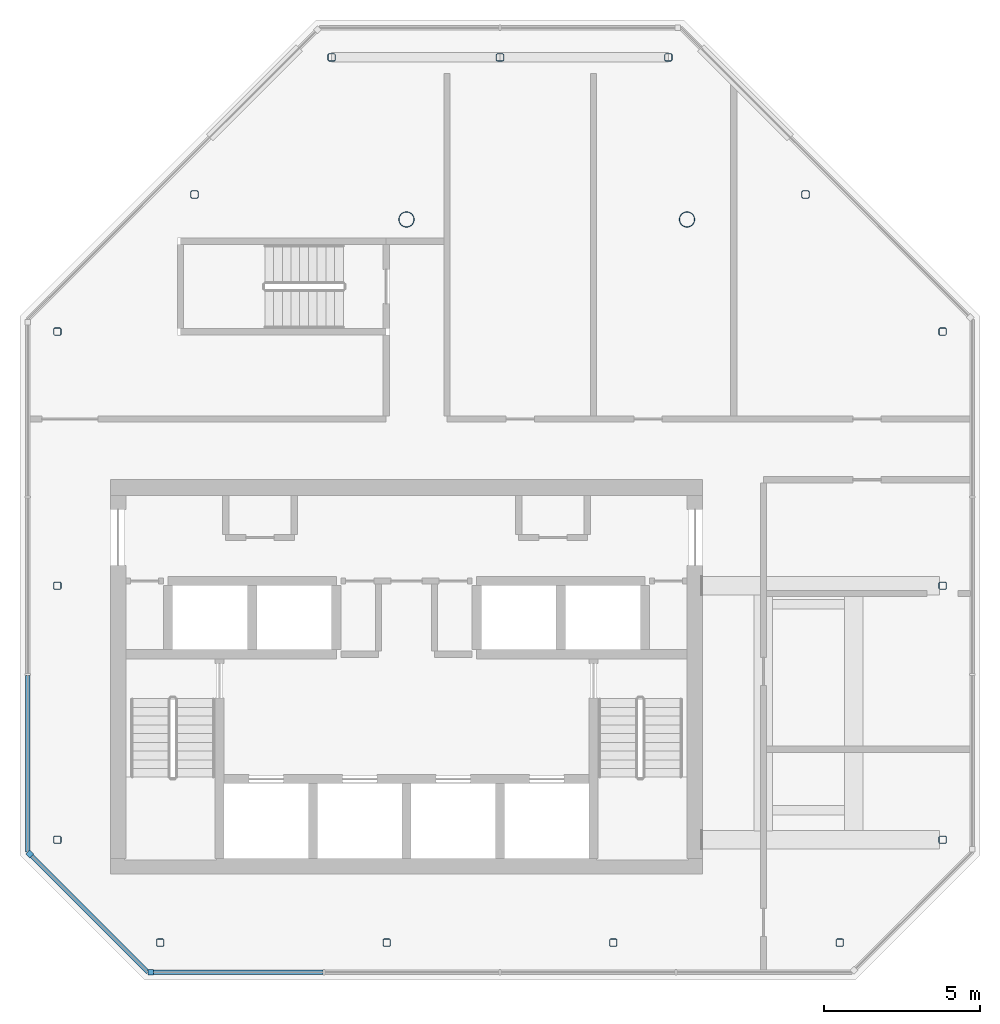
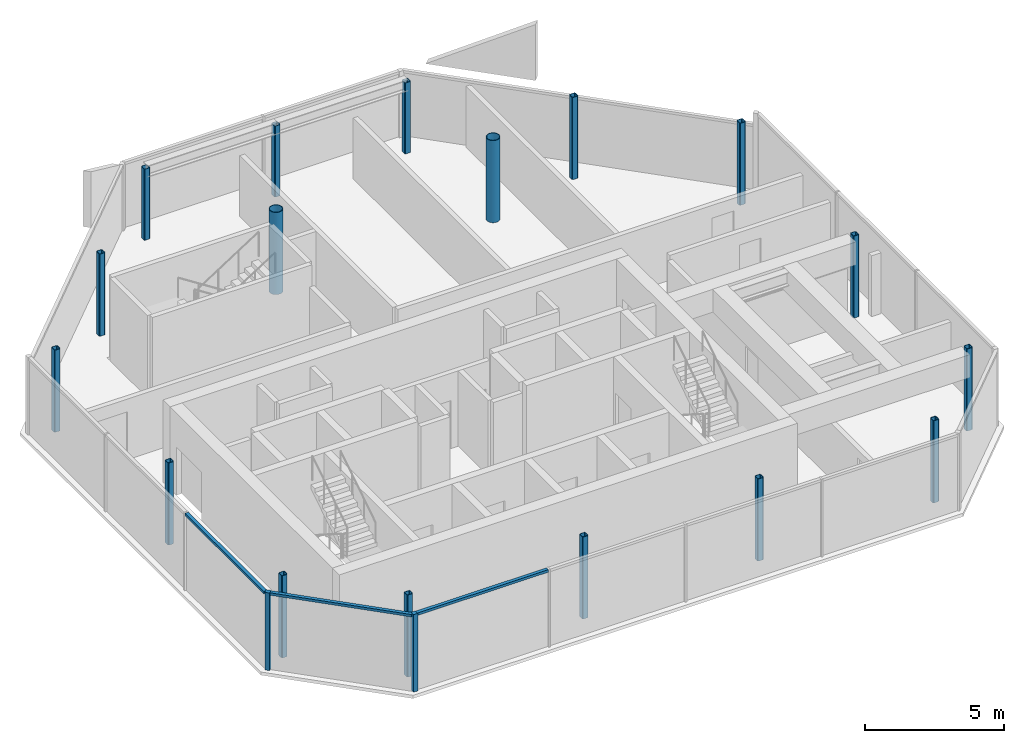
# One storey, part 1 of 7: 17 columns, 5 members, 3 elements without a shape of their own.
"""IFC4 building model written with IfcOpenShell, lengths in metres."""

from ifc_helpers import new_model, si_unit, direction, frame, origin, origin_2d, place, context, subcontext, project, spatial, rectangle, hollow_rectangle, hollow_circle, extrude, material, material_profile, profile_set, type_object, element, aggregate, save


model = new_model("IFC4")

# Units and contexts
model_context = context("Model", 3, precision=1e-05, world=origin(), true_north=direction((0.0, 1.0)))
body_context = subcontext(model_context, "Body", "Model", "MODEL_VIEW")
ifc_project = project(units=[si_unit("LENGTHUNIT", "METRE"), si_unit("AREAUNIT", "SQUARE_METRE"), si_unit("VOLUMEUNIT", "CUBIC_METRE"), si_unit("PLANEANGLEUNIT", "RADIAN"), si_unit("MASSUNIT", "GRAM", prefix="KILO")], contexts=[model_context])

# Site, building, storey
site_placement = place(None, origin())
site = spatial("IfcSite", under=ifc_project, at=site_placement, CompositionType="ELEMENT")
building_placement = place(site_placement, origin())
building = spatial("IfcBuilding", under=site, at=building_placement, Name="Tskaro Facet Tower", CompositionType="ELEMENT")
storey_placement = place(building_placement, frame((0.0, 0.0, 297.300048828125)))
storey = spatial("IfcBuildingStorey", under=building, at=storey_placement, Name="L80", CompositionType="ELEMENT", Elevation=297.300048828125)

# Columns
ifc_material_1 = material(Name="Steel S355J2H", Category="steel")
ifc_material_profile_1 = material_profile(ifc_material_1, hollow_circle(Radius=0.25390625, WallThickness=0.02490234375, at=origin_2d()), Name="CHS 508x25")
ifc_profile_set_1 = profile_set([ifc_material_profile_1], Name="Steel S355J2H")
column_type_1 = type_object("IfcColumnType", Name="CHS 508x25 interior column", PredefinedType="COLUMN", material=ifc_profile_set_1)
for number, where, z_axis, x_axis, name in (
    (1, (0.0, 9.0, 0.0), (0.0, 0.0, 1.0), (1.0, 0.0, 0.0), "CHS 508x25 C4E/6"),
    (2, (9.0, 9.0, 0.0), (0.0, 0.0, 1.0), (1.0, 0.0, 0.0), "CHS 508x25 C5E/6"),
):
    element("IfcColumn", number, at=place(storey_placement, frame(where, z_axis=z_axis, x_axis=x_axis)), inside=storey, type_object=column_type_1, Name=name, PredefinedType="COLUMN", context=body_context, shape_type="SweptSolid", body=[
        extrude(hollow_circle(Radius=0.25390625, WallThickness=0.02490234375, at=origin_2d()), origin(), (0.0, 0.0, 1.0), 3.599853515625),
    ])
ifc_material_profile_2 = material_profile(ifc_material_1, hollow_rectangle(XDim=0.25, YDim=0.25, WallThickness=0.02001953125, InnerFilletRadius=0.030029296875, OuterFilletRadius=0.050048828125, at=origin_2d()), Name="SHS 250x250x20")
ifc_profile_set_2 = profile_set([ifc_material_profile_2], Name="Steel S355J2H")
column_type_2 = type_object("IfcColumnType", Name="SHS 250x250x20 ring column", PredefinedType="COLUMN", material=ifc_profile_set_2)
for number, where, z_axis, x_axis, name in (
    (3, (-7.903076171875, -14.199951171875, 0.0), (0.0, 0.0, 1.0), (1.0, 0.0, 0.0), "SHS 250x250x20 RS-1/6"),
    (4, (-0.634033203125, -14.199951171875, 0.0), (0.0, 0.0, 1.0), (1.0, 0.0, 0.0), "SHS 250x250x20 RS-2/6"),
    (5, (6.634033203125, -14.199951171875, 0.0), (0.0, 0.0, 1.0), (1.0, 0.0, 0.0), "SHS 250x250x20 RS-3/6"),
    (6, (13.903076171875, -14.199951171875, 0.0), (0.0, 0.0, 1.0), (1.0, 0.0, 0.0), "SHS 250x250x20 RSE-1/6"),
    (7, (17.199951171875, -10.903076171875, 0.0), (0.0, 0.0, 1.0), (1.0, 0.0, 0.0), "SHS 250x250x20 RE-1/6"),
    (8, (17.199951171875, -2.75, 0.0), (0.0, 0.0, 1.0), (1.0, 0.0, 0.0), "SHS 250x250x20 RE-2/6"),
    (9, (17.199951171875, 5.403076171875, 0.0), (0.0, 0.0, 1.0), (1.0, 0.0, 0.0), "SHS 250x250x20 RNE-1/6"),
    (10, (12.802001953125, 9.802001953125, 0.0), (0.0, 0.0, 1.0), (1.0, 0.0, 0.0), "SHS 250x250x20 RNE-2/6"),
):
    element("IfcColumn", number, at=place(storey_placement, frame(where, z_axis=z_axis, x_axis=x_axis)), inside=storey, type_object=column_type_2, Name=name, PredefinedType="COLUMN", context=body_context, shape_type="SweptSolid", body=[
        extrude(hollow_rectangle(XDim=0.25, YDim=0.25, WallThickness=0.02001953125, InnerFilletRadius=0.030029296875, OuterFilletRadius=0.050048828125, at=origin_2d()), origin(), (0.0, 0.0, 1.0), 3.599853515625),
    ])
for number, where, z_axis, x_axis, name in (
    (11, (8.403076171875, 14.199951171875, 0.0), (0.0, 0.0, 1.0), (1.0, 0.0, 0.0), "SHS 250x250x20 RN-1/6"),
    (12, (3.0, 14.199951171875, 0.0), (0.0, 0.0, 1.0), (1.0, 0.0, 0.0), "SHS 250x250x20 RN-2/6"),
    (13, (-2.403076171875, 14.199951171875, 0.0), (0.0, 0.0, 1.0), (1.0, 0.0, 0.0), "SHS 250x250x20 RNW-1/6"),
):
    element("IfcColumn", number, at=place(storey_placement, frame(where, z_axis=z_axis, x_axis=x_axis)), inside=storey, type_object=column_type_2, Name=name, PredefinedType="COLUMN", context=body_context, shape_type="SweptSolid", body=[
        extrude(hollow_rectangle(XDim=0.25, YDim=0.25, WallThickness=0.02001953125, InnerFilletRadius=0.030029296875, OuterFilletRadius=0.050048828125, at=origin_2d()), origin(), (0.0, 0.0, 1.0), 3.1142578125),
    ])
for number, where, z_axis, x_axis, name in (
    (14, (-6.801025390625, 9.801025390625, 0.0), (0.0, 0.0, 1.0), (1.0, 0.0, 0.0), "SHS 250x250x20 RNW-2/6"),
    (15, (-11.199951171875, 5.403076171875, 0.0), (0.0, 0.0, 1.0), (1.0, 0.0, 0.0), "SHS 250x250x20 RW-1/6"),
    (16, (-11.199951171875, -2.75, 0.0), (0.0, 0.0, 1.0), (1.0, 0.0, 0.0), "SHS 250x250x20 RW-2/6"),
    (17, (-11.199951171875, -10.903076171875, 0.0), (0.0, 0.0, 1.0), (1.0, 0.0, 0.0), "SHS 250x250x20 RSW-1/6"),
):
    element("IfcColumn", number, at=place(storey_placement, frame(where, z_axis=z_axis, x_axis=x_axis)), inside=storey, type_object=column_type_2, Name=name, PredefinedType="COLUMN", context=body_context, shape_type="SweptSolid", body=[
        extrude(hollow_rectangle(XDim=0.25, YDim=0.25, WallThickness=0.02001953125, InnerFilletRadius=0.030029296875, OuterFilletRadius=0.050048828125, at=origin_2d()), origin(), (0.0, 0.0, 1.0), 3.599853515625),
    ])

# Curtain wall, member
ifc_material_2 = material(Name="Bronze anodised aluminium 6063-T6", Category="aluminium")
curtain_wall_type = type_object("IfcCurtainWallType", Name="Bronze crown curtain wall (FW5)", PredefinedType="NOTDEFINED", material=ifc_material_2)
curtain_wall_1_placement = place(storey_placement, origin())
curtain_wall_1 = element("IfcCurtainWall", 18, at=curtain_wall_1_placement, inside=storey, type_object=curtain_wall_type, Name="FW5 south facet L80", PredefinedType="NOTDEFINED")
ifc_material_profile_3 = material_profile(ifc_material_2, rectangle(XDim=0.179931640625, YDim=0.179931640625, at=origin_2d()), Name="Corner post 180x180")
ifc_profile_set_3 = profile_set([ifc_material_profile_3], Name="Bronze anodised aluminium 6063-T6")
member_type_1 = type_object("IfcMemberType", Name="FW5 bronze corner post 180x180", PredefinedType="MULLION", material=ifc_profile_set_3)
member_1_placement = place(storey_placement, frame((-8.2060546875, -15.14990234375, 0.0), z_axis=(0.0, 0.0, 1.0), x_axis=(1.0, 0.0, 0.0)))
member_1 = element("IfcMember", 19, at=member_1_placement, type_object=member_type_1, Name="FW5 south corner post", PredefinedType="MULLION", context=body_context, shape_type="SweptSolid", body=[
    extrude(rectangle(XDim=0.179931640625, YDim=0.179931640625, at=origin_2d()), origin(), (0.0, 0.0, 1.0), 3.39990234375),
])

curtain_wall_2_placement = place(storey_placement, origin())
curtain_wall_2 = element("IfcCurtainWall", 20, at=curtain_wall_2_placement, inside=storey, type_object=curtain_wall_type, Name="FW5 south-west facet L80", PredefinedType="NOTDEFINED")
member_2_placement = place(storey_placement, frame((-12.08642578125, -11.359619140625, 0.0), z_axis=(0.0, 0.0, 1.0), x_axis=(0.707106781187, -0.707106781187, 0.0)))
member_2 = element("IfcMember", 21, at=member_2_placement, type_object=member_type_1, Name="FW5 south-west corner post", PredefinedType="MULLION", context=body_context, shape_type="SweptSolid", body=[
    extrude(rectangle(XDim=0.179931640625, YDim=0.179931640625, at=origin_2d()), origin(), (0.0, 0.0, 1.0), 3.39990234375),
])

# Member
ifc_material_profile_4 = material_profile(ifc_material_2, rectangle(XDim=0.139892578125, YDim=0.110107421875, at=origin_2d()), Name="Transom 140x110")
ifc_profile_set_4 = profile_set([ifc_material_profile_4], Name="Bronze anodised aluminium 6063-T6")
member_type_2 = type_object("IfcMemberType", Name="FW5 bronze transom 140x110", PredefinedType="USERDEFINED", material=ifc_profile_set_4)
member_3_placement = place(storey_placement, frame((-8.115966796875, -15.14990234375, 3.344970703125), z_axis=(1.0, 0.0, 0.0), x_axis=(0.0, 1.0, 0.0)))
member_3 = element("IfcMember", 22, at=member_3_placement, type_object=member_type_2, Name="FW5 south transom 1.1", ObjectType="TRANSOM", PredefinedType="USERDEFINED", context=body_context, shape_type="SweptSolid", body=[
    extrude(rectangle(XDim=0.139892578125, YDim=0.110107421875, at=origin_2d()), origin(), (0.0, 0.0, 1.0), 5.432861328125),
])

aggregate(curtain_wall_1, [member_1, member_3])

# Curtain wall, member
curtain_wall_3_placement = place(storey_placement, origin())
curtain_wall_3 = element("IfcCurtainWall", 23, at=curtain_wall_3_placement, inside=storey, type_object=curtain_wall_type, Name="FW5 west facet L80", PredefinedType="NOTDEFINED")
member_4_placement = place(storey_placement, frame((-12.14990234375, -5.633544921875, 3.344970703125), z_axis=(0.0, -1.0, 0.0), x_axis=(1.0, 0.0, 0.0)))
member_4 = element("IfcMember", 24, at=member_4_placement, type_object=member_type_2, Name="FW5 west transom 3.1", ObjectType="TRANSOM", PredefinedType="USERDEFINED", context=body_context, shape_type="SweptSolid", body=[
    extrude(rectangle(XDim=0.139892578125, YDim=0.110107421875, at=origin_2d()), origin(), (0.0, 0.0, 1.0), 5.662353515625),
])
aggregate(curtain_wall_3, [member_4])

# Member
member_5_placement = place(storey_placement, frame((-12.022705078125, -11.42333984375, 3.344970703125), z_axis=(0.707129942613, -0.707083619001, 0.0), x_axis=(0.707083619001, 0.707129942613, 0.0)))
member_5 = element("IfcMember", 25, at=member_5_placement, type_object=member_type_2, Name="FW5 south-west transom 1.1", ObjectType="TRANSOM", PredefinedType="USERDEFINED", context=body_context, shape_type="SweptSolid", body=[
    extrude(rectangle(XDim=0.139892578125, YDim=0.110107421875, at=origin_2d()), origin(), (0.0, 0.0, 1.0), 5.270263671875),
])

aggregate(curtain_wall_2, [member_2, member_5])

save(model, "model.ifc")
